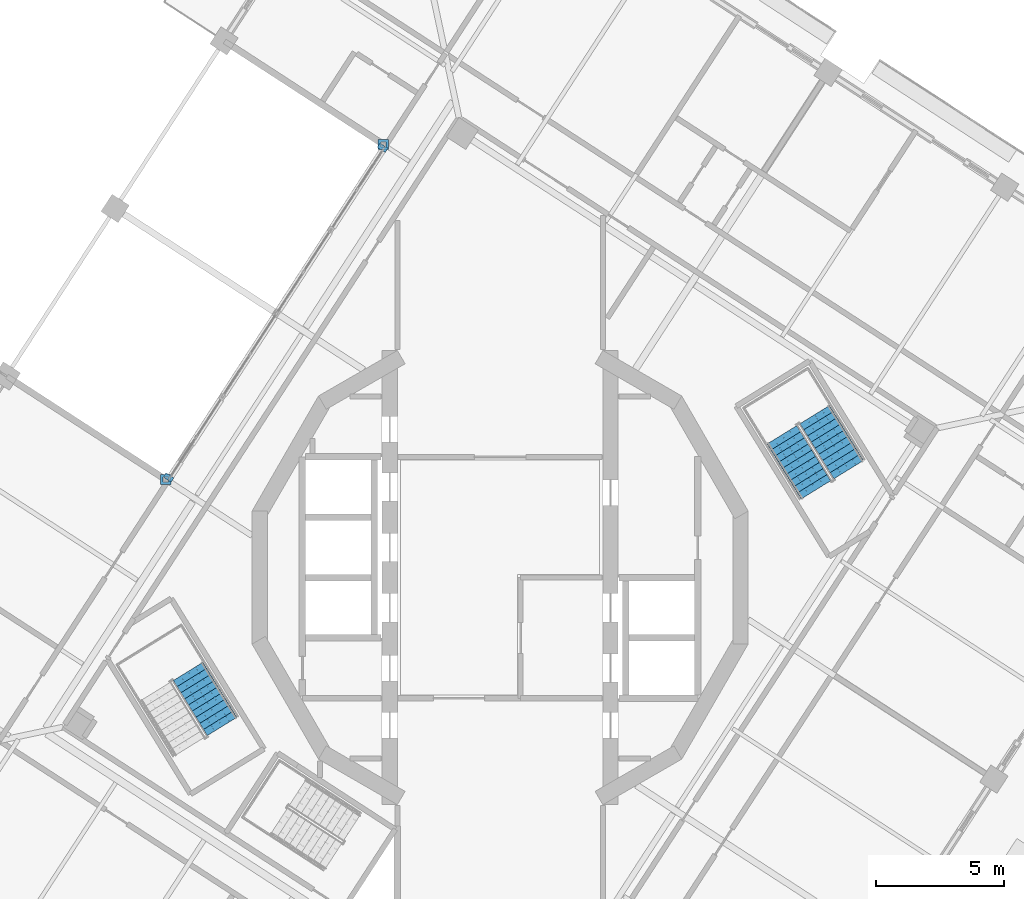
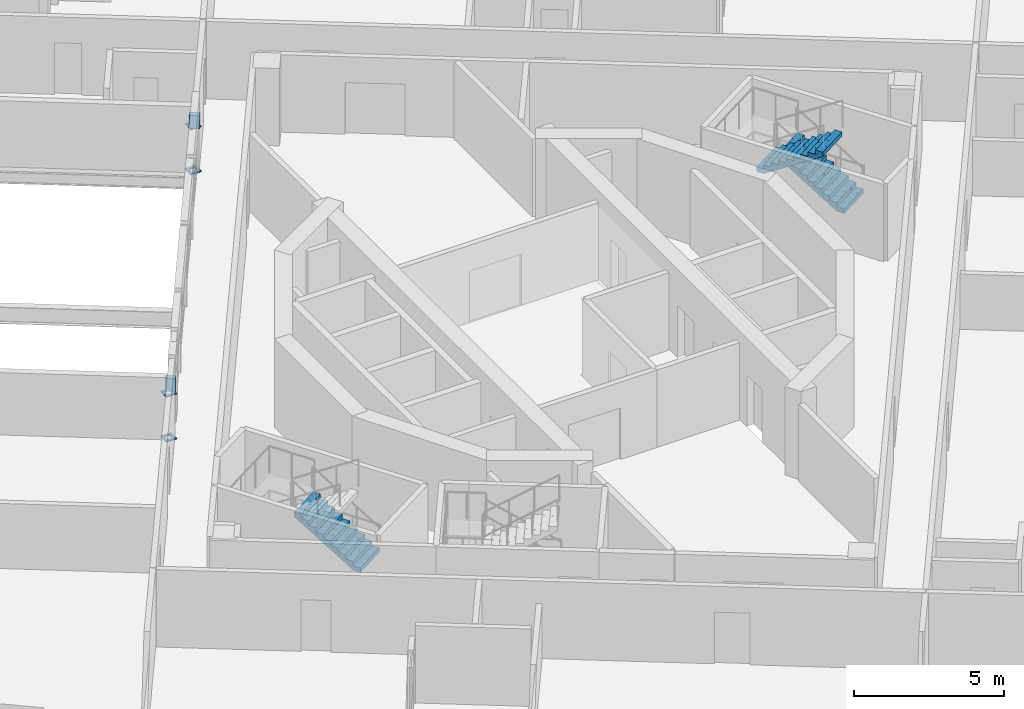
# One storey, part 11 of 17: 6 discrete accessories, 3 stair flights, 2 elements without a shape of their own.
"""IFC4 building model written with IfcOpenShell, lengths in metres."""

from ifc_helpers import new_model, si_unit, direction, frame, origin, place, context, subcontext, project, spatial, polyline, outline, extrude, material, layer, layer_set, type_object, element, aggregate, save


model = new_model("IFC4")

# Units and contexts
model_context = context("Model", 3, precision=1e-05, world=origin(), true_north=direction((0.0, 1.0)))
body_context = subcontext(model_context, "Body", "Model", "MODEL_VIEW")
ifc_project = project(units=[si_unit("LENGTHUNIT", "METRE"), si_unit("AREAUNIT", "SQUARE_METRE"), si_unit("VOLUMEUNIT", "CUBIC_METRE"), si_unit("PLANEANGLEUNIT", "RADIAN"), si_unit("MASSUNIT", "GRAM", prefix="KILO")], contexts=[model_context])

# Site, building, storey
site_placement = place(None, origin())
site = spatial("IfcSite", under=ifc_project, at=site_placement, CompositionType="ELEMENT")
building_placement = place(site_placement, origin())
building = spatial("IfcBuilding", under=site, at=building_placement, Name="Cantera Rosa Tower", CompositionType="ELEMENT")
storey_placement = place(building_placement, frame((0.0, 0.0, 286.5)))
storey = spatial("IfcBuildingStorey", under=building, at=storey_placement, Name="L65", CompositionType="ELEMENT", Elevation=286.5)

# Stair, stair flights
ifc_material_1 = material(Name="Concrete C35/45", Category="concrete")
stair_type = type_object("IfcStairType", Name="EXIT STAIR 1350 DOGLEG", PredefinedType="HALF_TURN_STAIR", material=ifc_material_1)
stair_1_placement = place(storey_placement, origin())
stair_1 = element("IfcStair", 1, at=stair_1_placement, inside=storey, type_object=stair_type, Name="L65 ST-51", PredefinedType="HALF_TURN_STAIR")
ifc_material_2 = material(Name="Concrete C35/45", Category="concrete")
stair_flight_type = type_object("IfcStairFlightType", Name="STAIR FLIGHT 1350 R20x180", PredefinedType="STRAIGHT", material=ifc_material_2)
stair_flight_1_placement = place(storey_placement, frame((13.5732421875, 4.2021484375, 0.0), z_axis=(0.0, 0.0, 1.0), x_axis=(-0.524976585286, 0.851116669383, 0.0)))
stair_flight_1 = element("IfcStairFlight", 2, at=stair_flight_1_placement, type_object=stair_flight_type, Name="ST-51 flight 1", NumberOfRisers=10, NumberOfTreads=9, PredefinedType="STRAIGHT", RiserHeight=0.18, TreadLength=0.28, context=body_context, shape_type="SweptSolid", body=[
    extrude(outline(polyline([(0.0, 0.0), (0.0, 0.179931640625), (0.280029296875, 0.179931640625), (0.280029296875, 0.360107421875), (0.56005859375, 0.360107421875), (0.56005859375, 0.5400390625), (0.840087890625, 0.5400390625), (0.840087890625, 0.719970703125), (1.1201171875, 0.719970703125), (1.1201171875, 0.89990234375), (1.39990234375, 0.89990234375), (1.39990234375, 1.080078125), (1.679931640625, 1.080078125), (1.679931640625, 1.260009765625), (1.9599609375, 1.260009765625), (1.9599609375, 1.43994140625), (2.239990234375, 1.43994140625), (2.239990234375, 1.6201171875), (2.52001953125, 1.6201171875), (2.52001953125, 1.800048828125), (2.52001953125, 1.44189453125), (0.277099609375, 0.0), (0.0, 0.0)])), frame((0.0, 0.675048828125, 0.0), z_axis=(0.0, -1.0, 0.0), x_axis=(1.0, 0.0, 0.0)), (0.0, 0.0, 1.0), 0.3359375),
    extrude(outline(polyline([(0.0, 0.0), (0.0, 0.179931640625), (0.280029296875, 0.179931640625), (0.280029296875, 0.360107421875), (0.56005859375, 0.360107421875), (0.56005859375, 0.5400390625), (0.840087890625, 0.5400390625), (0.840087890625, 0.719970703125), (1.1201171875, 0.719970703125), (1.1201171875, 0.89990234375), (1.39990234375, 0.89990234375), (1.39990234375, 1.080078125), (1.679931640625, 1.080078125), (1.679931640625, 1.260009765625), (1.9599609375, 1.260009765625), (1.9599609375, 1.43994140625), (2.239990234375, 1.43994140625), (2.239990234375, 1.6201171875), (2.52001953125, 1.6201171875), (2.52001953125, 1.800048828125), (2.52001953125, 1.44189453125), (0.277099609375, 0.0), (0.0, 0.0)])), frame((0.0, 0.337158203125, 0.0), z_axis=(0.0, -1.0, 0.0), x_axis=(1.0, 0.0, 0.0)), (0.0, 0.0, 1.0), 0.3359375),
    extrude(outline(polyline([(0.0, 0.0), (0.0, 0.179931640625), (0.280029296875, 0.179931640625), (0.280029296875, 0.360107421875), (0.56005859375, 0.360107421875), (0.56005859375, 0.5400390625), (0.840087890625, 0.5400390625), (0.840087890625, 0.719970703125), (1.1201171875, 0.719970703125), (1.1201171875, 0.89990234375), (1.39990234375, 0.89990234375), (1.39990234375, 1.080078125), (1.679931640625, 1.080078125), (1.679931640625, 1.260009765625), (1.9599609375, 1.260009765625), (1.9599609375, 1.43994140625), (2.239990234375, 1.43994140625), (2.239990234375, 1.6201171875), (2.52001953125, 1.6201171875), (2.52001953125, 1.800048828125), (2.52001953125, 1.44189453125), (0.277099609375, 0.0), (0.0, 0.0)])), frame((0.0, -0.000732421875, 0.0), z_axis=(0.0, -1.0, 0.0), x_axis=(1.0, 0.0, 0.0)), (0.0, 0.0, 1.0), 0.3359375),
    extrude(outline(polyline([(0.0, 0.0), (0.0, 0.179931640625), (0.280029296875, 0.179931640625), (0.280029296875, 0.360107421875), (0.56005859375, 0.360107421875), (0.56005859375, 0.5400390625), (0.840087890625, 0.5400390625), (0.840087890625, 0.719970703125), (1.1201171875, 0.719970703125), (1.1201171875, 0.89990234375), (1.39990234375, 0.89990234375), (1.39990234375, 1.080078125), (1.679931640625, 1.080078125), (1.679931640625, 1.260009765625), (1.9599609375, 1.260009765625), (1.9599609375, 1.43994140625), (2.239990234375, 1.43994140625), (2.239990234375, 1.6201171875), (2.52001953125, 1.6201171875), (2.52001953125, 1.800048828125), (2.52001953125, 1.44189453125), (0.277099609375, 0.0), (0.0, 0.0)])), frame((0.0, -0.338623046875, 0.0), z_axis=(0.0, -1.0, 0.0), x_axis=(1.0, 0.0, 0.0)), (0.0, 0.0, 1.0), 0.3359375),
])
stair_flight_2_placement = place(storey_placement, frame((10.9736328125, 5.5595703125, 1.800048828125), z_axis=(0.0, 0.0, 1.0), x_axis=(0.524976585286, -0.851116669383, 0.0)))
stair_flight_2 = element("IfcStairFlight", 3, at=stair_flight_2_placement, type_object=stair_flight_type, Name="ST-51 flight 2", NumberOfRisers=10, NumberOfTreads=9, PredefinedType="STRAIGHT", RiserHeight=0.18, TreadLength=0.28, context=body_context, shape_type="SweptSolid", body=[
    extrude(outline(polyline([(0.0, 0.0), (0.0, 0.179931640625), (0.280029296875, 0.179931640625), (0.280029296875, 0.360107421875), (0.56005859375, 0.360107421875), (0.56005859375, 0.5400390625), (0.840087890625, 0.5400390625), (0.840087890625, 0.719970703125), (1.1201171875, 0.719970703125), (1.1201171875, 0.89990234375), (1.39990234375, 0.89990234375), (1.39990234375, 1.080078125), (1.679931640625, 1.080078125), (1.679931640625, 1.260009765625), (1.9599609375, 1.260009765625), (1.9599609375, 1.43994140625), (2.239990234375, 1.43994140625), (2.239990234375, 1.6201171875), (2.52001953125, 1.6201171875), (2.52001953125, 1.800048828125), (2.52001953125, 1.44189453125), (0.277099609375, 0.0), (0.0, 0.0)])), frame((0.0, 0.675048828125, 0.0), z_axis=(0.0, -1.0, 0.0), x_axis=(1.0, 0.0, 0.0)), (0.0, 0.0, 1.0), 0.3359375),
    extrude(outline(polyline([(0.0, 0.0), (0.0, 0.179931640625), (0.280029296875, 0.179931640625), (0.280029296875, 0.360107421875), (0.56005859375, 0.360107421875), (0.56005859375, 0.5400390625), (0.840087890625, 0.5400390625), (0.840087890625, 0.719970703125), (1.1201171875, 0.719970703125), (1.1201171875, 0.89990234375), (1.39990234375, 0.89990234375), (1.39990234375, 1.080078125), (1.679931640625, 1.080078125), (1.679931640625, 1.260009765625), (1.9599609375, 1.260009765625), (1.9599609375, 1.43994140625), (2.239990234375, 1.43994140625), (2.239990234375, 1.6201171875), (2.52001953125, 1.6201171875), (2.52001953125, 1.800048828125), (2.52001953125, 1.44189453125), (0.277099609375, 0.0), (0.0, 0.0)])), frame((0.0, 0.337158203125, 0.0), z_axis=(0.0, -1.0, 0.0), x_axis=(1.0, 0.0, 0.0)), (0.0, 0.0, 1.0), 0.3359375),
    extrude(outline(polyline([(0.0, 0.0), (0.0, 0.179931640625), (0.280029296875, 0.179931640625), (0.280029296875, 0.360107421875), (0.56005859375, 0.360107421875), (0.56005859375, 0.5400390625), (0.840087890625, 0.5400390625), (0.840087890625, 0.719970703125), (1.1201171875, 0.719970703125), (1.1201171875, 0.89990234375), (1.39990234375, 0.89990234375), (1.39990234375, 1.080078125), (1.679931640625, 1.080078125), (1.679931640625, 1.260009765625), (1.9599609375, 1.260009765625), (1.9599609375, 1.43994140625), (2.239990234375, 1.43994140625), (2.239990234375, 1.6201171875), (2.52001953125, 1.6201171875), (2.52001953125, 1.800048828125), (2.52001953125, 1.44189453125), (0.277099609375, 0.0), (0.0, 0.0)])), frame((0.0, -0.000732421875, 0.0), z_axis=(0.0, -1.0, 0.0), x_axis=(1.0, 0.0, 0.0)), (0.0, 0.0, 1.0), 0.3359375),
    extrude(outline(polyline([(0.0, 0.0), (0.0, 0.179931640625), (0.280029296875, 0.179931640625), (0.280029296875, 0.360107421875), (0.56005859375, 0.360107421875), (0.56005859375, 0.5400390625), (0.840087890625, 0.5400390625), (0.840087890625, 0.719970703125), (1.1201171875, 0.719970703125), (1.1201171875, 0.89990234375), (1.39990234375, 0.89990234375), (1.39990234375, 1.080078125), (1.679931640625, 1.080078125), (1.679931640625, 1.260009765625), (1.9599609375, 1.260009765625), (1.9599609375, 1.43994140625), (2.239990234375, 1.43994140625), (2.239990234375, 1.6201171875), (2.52001953125, 1.6201171875), (2.52001953125, 1.800048828125), (2.52001953125, 1.44189453125), (0.277099609375, 0.0), (0.0, 0.0)])), frame((0.0, -0.338623046875, 0.0), z_axis=(0.0, -1.0, 0.0), x_axis=(1.0, 0.0, 0.0)), (0.0, 0.0, 1.0), 0.3359375),
])
aggregate(stair_1, [stair_flight_1, stair_flight_2])

# Stair, stair flight
stair_2_placement = place(storey_placement, origin())
stair_2 = element("IfcStair", 4, at=stair_2_placement, inside=storey, type_object=stair_type, Name="L65 ST-52", PredefinedType="HALF_TURN_STAIR")
stair_flight_3_placement = place(storey_placement, frame((-10.82666015625, -5.7978515625, 0.0), z_axis=(0.0, 0.0, 1.0), x_axis=(-0.524976585286, 0.851116669383, 0.0)))
stair_flight_3 = element("IfcStairFlight", 5, at=stair_flight_3_placement, type_object=stair_flight_type, Name="ST-52 flight 1", NumberOfRisers=10, NumberOfTreads=9, PredefinedType="STRAIGHT", RiserHeight=0.18, TreadLength=0.28, context=body_context, shape_type="SweptSolid", body=[
    extrude(outline(polyline([(0.0, 0.0), (0.0, 0.179931640625), (0.280029296875, 0.179931640625), (0.280029296875, 0.360107421875), (0.56005859375, 0.360107421875), (0.56005859375, 0.5400390625), (0.840087890625, 0.5400390625), (0.840087890625, 0.719970703125), (1.1201171875, 0.719970703125), (1.1201171875, 0.89990234375), (1.39990234375, 0.89990234375), (1.39990234375, 1.080078125), (1.679931640625, 1.080078125), (1.679931640625, 1.260009765625), (1.9599609375, 1.260009765625), (1.9599609375, 1.43994140625), (2.239990234375, 1.43994140625), (2.239990234375, 1.6201171875), (2.52001953125, 1.6201171875), (2.52001953125, 1.800048828125), (2.52001953125, 1.44189453125), (0.277099609375, 0.0), (0.0, 0.0)])), frame((0.0, 0.675048828125, 0.0), z_axis=(0.0, -1.0, 0.0), x_axis=(1.0, 0.0, 0.0)), (0.0, 0.0, 1.0), 0.3359375),
    extrude(outline(polyline([(0.0, 0.0), (0.0, 0.179931640625), (0.280029296875, 0.179931640625), (0.280029296875, 0.360107421875), (0.56005859375, 0.360107421875), (0.56005859375, 0.5400390625), (0.840087890625, 0.5400390625), (0.840087890625, 0.719970703125), (1.1201171875, 0.719970703125), (1.1201171875, 0.89990234375), (1.39990234375, 0.89990234375), (1.39990234375, 1.080078125), (1.679931640625, 1.080078125), (1.679931640625, 1.260009765625), (1.9599609375, 1.260009765625), (1.9599609375, 1.43994140625), (2.239990234375, 1.43994140625), (2.239990234375, 1.6201171875), (2.52001953125, 1.6201171875), (2.52001953125, 1.800048828125), (2.52001953125, 1.44189453125), (0.277099609375, 0.0), (0.0, 0.0)])), frame((0.0, 0.337158203125, 0.0), z_axis=(0.0, -1.0, 0.0), x_axis=(1.0, 0.0, 0.0)), (0.0, 0.0, 1.0), 0.3359375),
    extrude(outline(polyline([(0.0, 0.0), (0.0, 0.179931640625), (0.280029296875, 0.179931640625), (0.280029296875, 0.360107421875), (0.56005859375, 0.360107421875), (0.56005859375, 0.5400390625), (0.840087890625, 0.5400390625), (0.840087890625, 0.719970703125), (1.1201171875, 0.719970703125), (1.1201171875, 0.89990234375), (1.39990234375, 0.89990234375), (1.39990234375, 1.080078125), (1.679931640625, 1.080078125), (1.679931640625, 1.260009765625), (1.9599609375, 1.260009765625), (1.9599609375, 1.43994140625), (2.239990234375, 1.43994140625), (2.239990234375, 1.6201171875), (2.52001953125, 1.6201171875), (2.52001953125, 1.800048828125), (2.52001953125, 1.44189453125), (0.277099609375, 0.0), (0.0, 0.0)])), frame((0.0, -0.000732421875, 0.0), z_axis=(0.0, -1.0, 0.0), x_axis=(1.0, 0.0, 0.0)), (0.0, 0.0, 1.0), 0.3359375),
    extrude(outline(polyline([(0.0, 0.0), (0.0, 0.179931640625), (0.280029296875, 0.179931640625), (0.280029296875, 0.360107421875), (0.56005859375, 0.360107421875), (0.56005859375, 0.5400390625), (0.840087890625, 0.5400390625), (0.840087890625, 0.719970703125), (1.1201171875, 0.719970703125), (1.1201171875, 0.89990234375), (1.39990234375, 0.89990234375), (1.39990234375, 1.080078125), (1.679931640625, 1.080078125), (1.679931640625, 1.260009765625), (1.9599609375, 1.260009765625), (1.9599609375, 1.43994140625), (2.239990234375, 1.43994140625), (2.239990234375, 1.6201171875), (2.52001953125, 1.6201171875), (2.52001953125, 1.800048828125), (2.52001953125, 1.44189453125), (0.277099609375, 0.0), (0.0, 0.0)])), frame((0.0, -0.338623046875, 0.0), z_axis=(0.0, -1.0, 0.0), x_axis=(1.0, 0.0, 0.0)), (0.0, 0.0, 1.0), 0.3359375),
])
aggregate(stair_2, [stair_flight_3])

# Discrete accessories
ifc_material_3 = material(Name="Steel ASTM A992 (Fy 345 MPa)", Category="steel")
ifc_layer = layer(ifc_material_3, 0.0400390625)
ifc_layer_set = layer_set([ifc_layer], Name="STEEL BEARING PLATE 40")
discrete_accessory_type = type_object("IfcDiscreteAccessoryType", Name="STEEL BEARING PLATE 40", PredefinedType="ANCHORPLATE", material=ifc_layer_set)
for number, where, name in (
    (6, (0.0, 0.0, 0.0), "POST PLATE L65-1F"),
    (7, (0.0, 0.0, 1.823974609375), "POST PLATE L65-1T"),
):
    element("IfcDiscreteAccessory", number, at=place(storey_placement, frame(where)), inside=storey, type_object=discrete_accessory_type, Name=name, PredefinedType="ANCHORPLATE", context=body_context, shape_type="SweptSolid", body=[
        extrude(outline(polyline([(-4.746826171875, 16.66748046875), (-4.3466796875, 16.66748046875), (-4.3466796875, 17.067626953125), (-4.746826171875, 17.067626953125), (-4.746826171875, 16.66748046875)]), holes=[polyline([(-4.646728515625, 16.767578125), (-4.44677734375, 16.767578125), (-4.44677734375, 16.967529296875), (-4.646728515625, 16.967529296875), (-4.646728515625, 16.767578125)])]), origin(), (0.0, 0.0, 1.0), 0.0400390625),
    ])
for number, where, name in (
    (8, (0.0, 0.0, 0.0), "POST PLATE L65-2F"),
    (9, (0.0, 0.0, 1.823974609375), "POST PLATE L65-2T"),
):
    element("IfcDiscreteAccessory", number, at=place(storey_placement, frame(where)), inside=storey, type_object=discrete_accessory_type, Name=name, PredefinedType="ANCHORPLATE", context=body_context, shape_type="SweptSolid", body=[
        extrude(outline(polyline([(-13.221435546875, 3.617919921875), (-12.8212890625, 3.617919921875), (-12.8212890625, 4.017822265625), (-13.221435546875, 4.017822265625), (-13.221435546875, 3.617919921875)]), holes=[polyline([(-13.121337890625, 3.718017578125), (-12.92138671875, 3.718017578125), (-12.92138671875, 3.91796875), (-13.121337890625, 3.91796875), (-13.121337890625, 3.718017578125)])]), origin(), (0.0, 0.0, 1.0), 0.0400390625),
    ])
discrete_accessory_1_placement = place(storey_placement, frame((0.0, 0.0, 1.864013671875)))
element("IfcDiscreteAccessory", 10, at=discrete_accessory_1_placement, inside=storey, type_object=discrete_accessory_type, Name="LINTEL PLATE L65-1", PredefinedType="ANCHORPLATE", context=body_context, shape_type="SweptSolid", body=[
    extrude(outline(polyline([(-4.473876953125, 16.552001953125), (-4.364990234375, 16.7197265625), (-4.671875, 16.919189453125), (-4.781005859375, 16.751220703125), (-4.473876953125, 16.552001953125)])), origin(), (0.0, 0.0, 1.0), 0.528076171875),
])
discrete_accessory_2_placement = place(storey_placement, frame((0.0, 0.0, 1.864013671875)))
element("IfcDiscreteAccessory", 11, at=discrete_accessory_2_placement, inside=storey, type_object=discrete_accessory_type, Name="LINTEL PLATE L65-2", PredefinedType="ANCHORPLATE", context=body_context, shape_type="SweptSolid", body=[
    extrude(outline(polyline([(-13.010498046875, 4.0791015625), (-13.119384765625, 3.911376953125), (-12.812255859375, 3.7119140625), (-12.703369140625, 3.879638671875), (-13.010498046875, 4.0791015625)])), origin(), (0.0, 0.0, 1.0), 0.528076171875),
])

save(model, "model.ifc")
